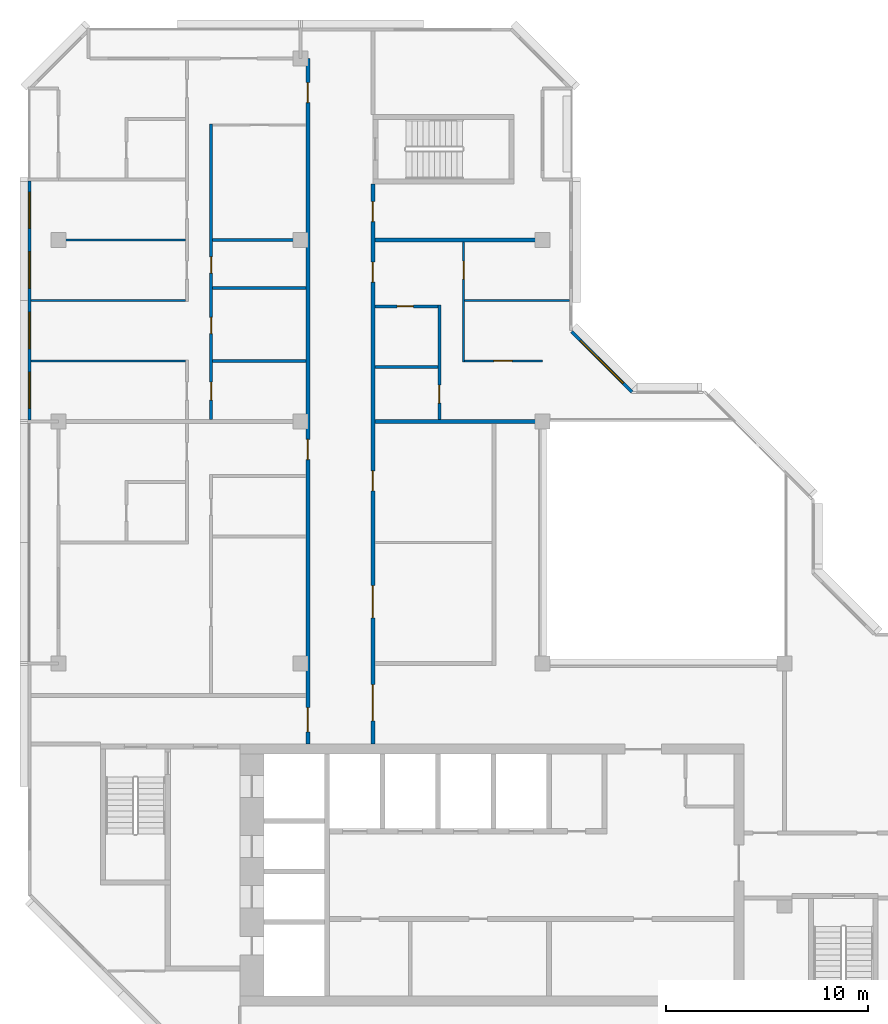
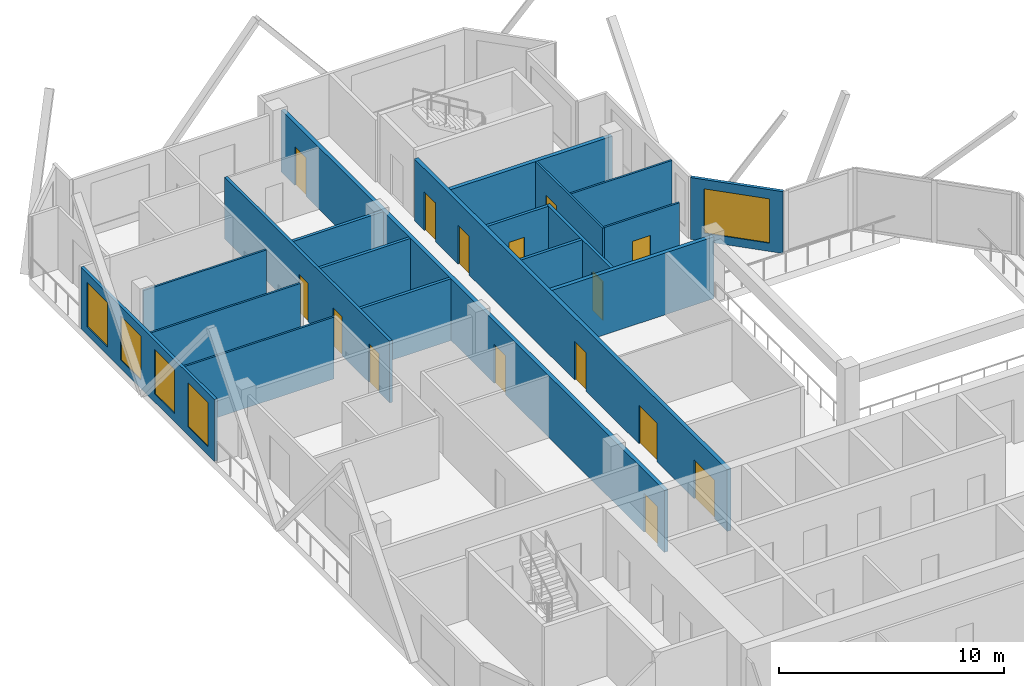
# One storey, part 8 of 12: 19 walls, 15 doors, 5 windows, 20 openings.
"""IFC4 building model written with IfcOpenShell, lengths in metres."""

from ifc_helpers import new_model, si_unit, direction, frame, frame_2d, origin, place, context, subcontext, project, spatial, rectangle, extrude, material, layer, layer_set, type_object, element, fill, save


model = new_model("IFC4")

# Units and contexts
model_context = context("Model", 3, precision=1e-05, world=origin(), true_north=direction((0.0, 1.0)))
body_context = subcontext(model_context, "Body", "Model", "MODEL_VIEW")
ifc_project = project(units=[si_unit("LENGTHUNIT", "METRE"), si_unit("AREAUNIT", "SQUARE_METRE"), si_unit("VOLUMEUNIT", "CUBIC_METRE"), si_unit("PLANEANGLEUNIT", "RADIAN"), si_unit("MASSUNIT", "GRAM", prefix="KILO")], contexts=[model_context])

# Site, building, storey
site_placement = place(None, origin())
site = spatial("IfcSite", under=ifc_project, at=site_placement, CompositionType="ELEMENT")
building_placement = place(site_placement, origin())
building = spatial("IfcBuilding", under=site, at=building_placement, Name="Chenar Terraces", CompositionType="ELEMENT")
storey_placement = place(building_placement, frame((0.0, 0.0, 338.89990234375)))
storey = spatial("IfcBuildingStorey", under=building, at=storey_placement, Name="L78", CompositionType="ELEMENT", Elevation=338.89990234375)

# Wall, openings, doors
ifc_material_1 = material(Name="Gypsum board on steel studs with fire boards", Category="steel")
ifc_layer_1 = layer(ifc_material_1, 0.199951171875)
ifc_layer_set_1 = layer_set([ifc_layer_1], Name="Gypsum board on steel studs with fire boards")
wall_type_1 = type_object("IfcWallType", Name="Corridor wall 200", PredefinedType="PARTITIONING", material=ifc_layer_set_1)
wall_1_placement = place(storey_placement, frame((12.375, 20.0, 0.0), z_axis=(0.0, 0.0, 1.0), x_axis=(0.0, 1.0, 0.0)))
wall_1 = element("IfcWall", 1, at=wall_1_placement, inside=storey, type_object=wall_type_1, Name="Partition L78-029", PredefinedType="PARTITIONING", context=body_context, shape_type="SweptSolid", body=[
    extrude(rectangle(XDim=34.0, YDim=0.199951171875, at=frame_2d((17.0, 0.0))), origin(), (0.0, 0.0, 1.0), 3.35009765625),
])
opening_1_placement = place(wall_1_placement, frame((31.800048828125, 0.0, 0.0)))
opening_1 = element("IfcOpeningElement", 2, at=opening_1_placement, cuts=wall_1, Name="Opening DL78-15", PredefinedType="OPENING", context=body_context, shape_type="SweptSolid", body=[
    extrude(rectangle(XDim=1.0, YDim=2.10009765625, at=frame_2d((0.5, 1.050048828125))), frame((0.0, 0.10986328125, 0.0), z_axis=(0.0, -1.0, 0.0), x_axis=(1.0, 0.0, 0.0)), (0.0, 0.0, 1.0), 0.219970703125),
])
opening_2_placement = place(wall_1_placement, frame((0.60009765625, 0.0, 0.0)))
opening_2 = element("IfcOpeningElement", 3, at=opening_2_placement, cuts=wall_1, Name="Opening DL78-21", PredefinedType="OPENING", context=body_context, shape_type="SweptSolid", body=[
    extrude(rectangle(XDim=1.199951171875, YDim=2.10009765625, at=frame_2d((0.60009765625, 1.050048828125))), frame((0.0, 0.10986328125, 0.0), z_axis=(0.0, -1.0, 0.0), x_axis=(1.0, 0.0, 0.0)), (0.0, 0.0, 1.0), 0.219970703125),
])
opening_3_placement = place(wall_1_placement, frame((14.10009765625, 0.0, 0.0)))
opening_3 = element("IfcOpeningElement", 4, at=opening_3_placement, cuts=wall_1, Name="Opening DL78-44", PredefinedType="OPENING", context=body_context, shape_type="SweptSolid", body=[
    extrude(rectangle(XDim=1.0, YDim=2.10009765625, at=frame_2d((0.5, 1.050048828125))), frame((0.0, 0.10986328125, 0.0), z_axis=(0.0, -1.0, 0.0), x_axis=(1.0, 0.0, 0.0)), (0.0, 0.0, 1.0), 0.219970703125),
])
ifc_material_2 = material(Name="Steel-framed fire-resisting door leaf", Category="steel")
door_type_1 = type_object("IfcDoorType", Name="Fire door FD30S 1000 x 2100", OperationType="SINGLE_SWING_LEFT", PredefinedType="DOOR", material=ifc_material_2)
door_1_placement = place(opening_1_placement, origin())
door_1 = element("IfcDoor", 5, at=door_1_placement, inside=storey, type_object=door_type_1, Name="Door DL78-15", OperationType="SINGLE_SWING_RIGHT", OverallHeight=2.10009765625, OverallWidth=1.0, PredefinedType="DOOR", context=body_context, shape_type="SweptSolid", body=[
    extrude(rectangle(XDim=1.0, YDim=2.10009765625, at=frame_2d((0.5, 1.050048828125))), frame((0.0, 0.02490234375, 0.0), z_axis=(0.0, -1.0, 0.0), x_axis=(1.0, 0.0, 0.0)), (0.0, 0.0, 1.0), 0.050048828125),
])
fill(opening_1, door_1)
door_2_placement = place(opening_3_placement, origin())
door_2 = element("IfcDoor", 6, at=door_2_placement, inside=storey, type_object=door_type_1, Name="Door DL78-44", OperationType="SINGLE_SWING_RIGHT", OverallHeight=2.10009765625, OverallWidth=1.0, PredefinedType="DOOR", context=body_context, shape_type="SweptSolid", body=[
    extrude(rectangle(XDim=1.0, YDim=2.10009765625, at=frame_2d((0.5, 1.050048828125))), frame((0.0, 0.02490234375, 0.0), z_axis=(0.0, -1.0, 0.0), x_axis=(1.0, 0.0, 0.0)), (0.0, 0.0, 1.0), 0.050048828125),
])
fill(opening_3, door_2)
ifc_material_3 = material(Name="Steel-framed fire-resisting door leaf", Category="steel")
door_type_2 = type_object("IfcDoorType", Name="Fire door FD30S 1200 x 2100", OperationType="SINGLE_SWING_LEFT", PredefinedType="DOOR", material=ifc_material_3)
door_3_placement = place(opening_2_placement, origin())
door_3 = element("IfcDoor", 7, at=door_3_placement, inside=storey, type_object=door_type_2, Name="Door DL78-21", OperationType="SINGLE_SWING_RIGHT", OverallHeight=2.10009765625, OverallWidth=1.199951171875, PredefinedType="DOOR", context=body_context, shape_type="SweptSolid", body=[
    extrude(rectangle(XDim=1.199951171875, YDim=2.10009765625, at=frame_2d((0.60009765625, 1.050048828125))), frame((0.0, 0.02490234375, 0.0), z_axis=(0.0, -1.0, 0.0), x_axis=(1.0, 0.0, 0.0)), (0.0, 0.0, 1.0), 0.050048828125),
])
fill(opening_2, door_3)

wall_2_placement = place(storey_placement, frame((15.60009765625, 20.0, 0.0), z_axis=(0.0, 0.0, 1.0), x_axis=(0.0, 1.0, 0.0)))
wall_2 = element("IfcWall", 8, at=wall_2_placement, inside=storey, type_object=wall_type_1, Name="Partition L78-031", PredefinedType="PARTITIONING", context=body_context, shape_type="SweptSolid", body=[
    extrude(rectangle(XDim=27.77490234375, YDim=0.199951171875, at=frame_2d((13.887451171875, 0.0))), origin(), (0.0, 0.0, 1.0), 3.35009765625),
])
opening_4_placement = place(wall_2_placement, frame((6.25, 0.0, 0.0)))
opening_4 = element("IfcOpeningElement", 9, at=opening_4_placement, cuts=wall_2, Name="Opening DL78-1", PredefinedType="OPENING", context=body_context, shape_type="SweptSolid", body=[
    extrude(rectangle(XDim=1.60009765625, YDim=2.10009765625, at=frame_2d((0.800048828125, 1.050048828125))), frame((0.0, 0.10986328125, 0.0), z_axis=(0.0, -1.0, 0.0), x_axis=(1.0, 0.0, 0.0)), (0.0, 0.0, 1.0), 0.219970703125),
])
opening_5_placement = place(wall_2_placement, frame((12.550048828125, 0.0, 0.0)))
opening_5 = element("IfcOpeningElement", 10, at=opening_5_placement, cuts=wall_2, Name="Opening DL78-2", PredefinedType="OPENING", context=body_context, shape_type="SweptSolid", body=[
    extrude(rectangle(XDim=1.0, YDim=2.10009765625, at=frame_2d((0.5, 1.050048828125))), frame((0.0, 0.10986328125, 0.0), z_axis=(0.0, -1.0, 0.0), x_axis=(1.0, 0.0, 0.0)), (0.0, 0.0, 1.0), 0.219970703125),
])
opening_6_placement = place(wall_2_placement, frame((22.89990234375, 0.0, 0.0)))
opening_6 = element("IfcOpeningElement", 11, at=opening_6_placement, cuts=wall_2, Name="Opening DL78-8", PredefinedType="OPENING", context=body_context, shape_type="SweptSolid", body=[
    extrude(rectangle(XDim=1.0, YDim=2.10009765625, at=frame_2d((0.5, 1.050048828125))), frame((0.0, 0.10986328125, 0.0), z_axis=(0.0, -1.0, 0.0), x_axis=(1.0, 0.0, 0.0)), (0.0, 0.0, 1.0), 0.219970703125),
])
opening_7_placement = place(wall_2_placement, frame((1.14990234375, 0.0, 0.0)))
opening_7 = element("IfcOpeningElement", 12, at=opening_7_placement, cuts=wall_2, Name="Opening DL78-20", PredefinedType="OPENING", context=body_context, shape_type="SweptSolid", body=[
    extrude(rectangle(XDim=1.800048828125, YDim=2.10009765625, at=frame_2d((0.89990234375, 1.050048828125))), frame((0.0, 0.10986328125, 0.0), z_axis=(0.0, -1.0, 0.0), x_axis=(1.0, 0.0, 0.0)), (0.0, 0.0, 1.0), 0.219970703125),
])
opening_8_placement = place(wall_2_placement, frame((25.89990234375, 0.0, 0.0)))
opening_8 = element("IfcOpeningElement", 13, at=opening_8_placement, cuts=wall_2, Name="Opening DL78-23", PredefinedType="OPENING", context=body_context, shape_type="SweptSolid", body=[
    extrude(rectangle(XDim=1.0, YDim=2.10009765625, at=frame_2d((0.5, 1.050048828125))), frame((0.0, 0.10986328125, 0.0), z_axis=(0.0, -1.0, 0.0), x_axis=(1.0, 0.0, 0.0)), (0.0, 0.0, 1.0), 0.219970703125),
])
ifc_material_4 = material(Name="Steel-framed fire-resisting door leaf", Category="steel")
door_type_3 = type_object("IfcDoorType", Name="Fire door FD60 1000 x 2100", OperationType="SINGLE_SWING_LEFT", PredefinedType="DOOR", material=ifc_material_4)
door_4_placement = place(opening_5_placement, frame((1.0, 0.0, 0.0), z_axis=(0.0, 0.0, 1.0), x_axis=(-1.0, 0.0, 0.0)))
door_4 = element("IfcDoor", 14, at=door_4_placement, inside=storey, type_object=door_type_3, Name="Door DL78-2", OperationType="SINGLE_SWING_LEFT", OverallHeight=2.10009765625, OverallWidth=1.0, PredefinedType="DOOR", context=body_context, shape_type="SweptSolid", body=[
    extrude(rectangle(XDim=1.0, YDim=2.10009765625, at=frame_2d((0.5, 1.050048828125))), frame((0.0, 0.02490234375, 0.0), z_axis=(0.0, -1.0, 0.0), x_axis=(1.0, 0.0, 0.0)), (0.0, 0.0, 1.0), 0.050048828125),
])
fill(opening_5, door_4)
door_5_placement = place(opening_6_placement, frame((1.0, 0.0, 0.0), z_axis=(0.0, 0.0, 1.0), x_axis=(-1.0, 0.0, 0.0)))
door_5 = element("IfcDoor", 15, at=door_5_placement, inside=storey, type_object=door_type_3, Name="Door DL78-8", OperationType="SINGLE_SWING_LEFT", OverallHeight=2.10009765625, OverallWidth=1.0, PredefinedType="DOOR", context=body_context, shape_type="SweptSolid", body=[
    extrude(rectangle(XDim=1.0, YDim=2.10009765625, at=frame_2d((0.5, 1.050048828125))), frame((0.0, 0.02490234375, 0.0), z_axis=(0.0, -1.0, 0.0), x_axis=(1.0, 0.0, 0.0)), (0.0, 0.0, 1.0), 0.050048828125),
])
fill(opening_6, door_5)
door_6_placement = place(opening_8_placement, frame((1.0, 0.0, 0.0), z_axis=(0.0, 0.0, 1.0), x_axis=(-1.0, 0.0, 0.0)))
door_6 = element("IfcDoor", 16, at=door_6_placement, inside=storey, type_object=door_type_3, Name="Door DL78-23", OperationType="SINGLE_SWING_RIGHT", OverallHeight=2.10009765625, OverallWidth=1.0, PredefinedType="DOOR", context=body_context, shape_type="SweptSolid", body=[
    extrude(rectangle(XDim=1.0, YDim=2.10009765625, at=frame_2d((0.5, 1.050048828125))), frame((0.0, 0.02490234375, 0.0), z_axis=(0.0, -1.0, 0.0), x_axis=(1.0, 0.0, 0.0)), (0.0, 0.0, 1.0), 0.050048828125),
])
fill(opening_8, door_6)
ifc_material_5 = material(Name="Steel-framed fire-resisting door leaf", Category="steel")
door_type_4 = type_object("IfcDoorType", Name="Fire double door FD60 1600 x 2100", OperationType="DOUBLE_DOOR_SINGLE_SWING", PredefinedType="DOOR", material=ifc_material_5)
door_7_placement = place(opening_4_placement, frame((1.60009765625, 0.0, 0.0), z_axis=(0.0, 0.0, 1.0), x_axis=(-1.0, 0.0, 0.0)))
door_7 = element("IfcDoor", 17, at=door_7_placement, inside=storey, type_object=door_type_4, Name="Door DL78-1", OperationType="DOUBLE_DOOR_SINGLE_SWING", OverallHeight=2.10009765625, OverallWidth=1.60009765625, PredefinedType="DOOR", context=body_context, shape_type="SweptSolid", body=[
    extrude(rectangle(XDim=1.60009765625, YDim=2.10009765625, at=frame_2d((0.800048828125, 1.050048828125))), frame((0.0, 0.02490234375, 0.0), z_axis=(0.0, -1.0, 0.0), x_axis=(1.0, 0.0, 0.0)), (0.0, 0.0, 1.0), 0.050048828125),
])
fill(opening_4, door_7)
ifc_material_6 = material(Name="Steel-framed fire-resisting door leaf", Category="steel")
door_type_5 = type_object("IfcDoorType", Name="Fire double door FD60 1800 x 2100", OperationType="DOUBLE_DOOR_SINGLE_SWING", PredefinedType="DOOR", material=ifc_material_6)
door_8_placement = place(opening_7_placement, frame((1.800048828125, 0.0, 0.0), z_axis=(0.0, 0.0, 1.0), x_axis=(-1.0, 0.0, 0.0)))
door_8 = element("IfcDoor", 18, at=door_8_placement, inside=storey, type_object=door_type_5, Name="Door DL78-20", OperationType="DOUBLE_DOOR_SINGLE_SWING", OverallHeight=2.10009765625, OverallWidth=1.800048828125, PredefinedType="DOOR", context=body_context, shape_type="SweptSolid", body=[
    extrude(rectangle(XDim=1.800048828125, YDim=2.10009765625, at=frame_2d((0.89990234375, 1.050048828125))), frame((0.0, 0.02490234375, 0.0), z_axis=(0.0, -1.0, 0.0), x_axis=(1.0, 0.0, 0.0)), (0.0, 0.0, 1.0), 0.050048828125),
])
fill(opening_7, door_8)

# Wall, openings, windows
ifc_material_7 = material(Name="Aluminium framed glazing", Category="aluminium")
ifc_layer_2 = layer(ifc_material_7, 0.14990234375)
ifc_layer_set_2 = layer_set([ifc_layer_2], Name="Aluminium framed glazing")
wall_type_2 = type_object("IfcWallType", Name="Glazed flush facade wall 150", PredefinedType="SOLIDWALL", material=ifc_layer_set_2)
wall_3_placement = place(storey_placement, frame((-1.425048828125, 47.925048828125, 0.0), z_axis=(0.0, 0.0, 1.0), x_axis=(0.0, -1.0, 0.0)))
wall_3 = element("IfcWall", 19, at=wall_3_placement, inside=storey, type_object=wall_type_2, Name="Glazed flush facade wall", PredefinedType="SOLIDWALL", context=body_context, shape_type="SweptSolid", body=[
    extrude(rectangle(XDim=11.85009765625, YDim=0.14990234375, at=frame_2d((5.925048828125, 0.0))), origin(), (0.0, 0.0, 1.0), 3.35009765625),
])
opening_9_placement = place(wall_3_placement, frame((0.5625, 0.0, 0.449951171875)))
opening_9 = element("IfcOpeningElement", 20, at=opening_9_placement, cuts=wall_3, Name="Opening W180x240", PredefinedType="OPENING", context=body_context, shape_type="SweptSolid", body=[
    extrude(rectangle(XDim=1.800048828125, YDim=2.39990234375, at=frame_2d((0.89990234375, 1.199951171875))), frame((0.0, 0.0849609375, 0.0), z_axis=(0.0, -1.0, 0.0), x_axis=(1.0, 0.0, 0.0)), (0.0, 0.0, 1.0), 0.169921875),
])
opening_10_placement = place(wall_3_placement, frame((3.52490234375, 0.0, 0.449951171875)))
opening_10 = element("IfcOpeningElement", 21, at=opening_10_placement, cuts=wall_3, Name="Opening W180x240", PredefinedType="OPENING", context=body_context, shape_type="SweptSolid", body=[
    extrude(rectangle(XDim=1.800048828125, YDim=2.39990234375, at=frame_2d((0.89990234375, 1.199951171875))), frame((0.0, 0.0849609375, 0.0), z_axis=(0.0, -1.0, 0.0), x_axis=(1.0, 0.0, 0.0)), (0.0, 0.0, 1.0), 0.169921875),
])
opening_11_placement = place(wall_3_placement, frame((6.52490234375, 0.0, 0.449951171875)))
opening_11 = element("IfcOpeningElement", 22, at=opening_11_placement, cuts=wall_3, Name="Opening W180x240", PredefinedType="OPENING", context=body_context, shape_type="SweptSolid", body=[
    extrude(rectangle(XDim=1.800048828125, YDim=2.39990234375, at=frame_2d((0.89990234375, 1.199951171875))), frame((0.0, 0.0849609375, 0.0), z_axis=(0.0, -1.0, 0.0), x_axis=(1.0, 0.0, 0.0)), (0.0, 0.0, 1.0), 0.169921875),
])
opening_12_placement = place(wall_3_placement, frame((9.487548828125, 0.0, 0.449951171875)))
opening_12 = element("IfcOpeningElement", 23, at=opening_12_placement, cuts=wall_3, Name="Opening W180x240", PredefinedType="OPENING", context=body_context, shape_type="SweptSolid", body=[
    extrude(rectangle(XDim=1.800048828125, YDim=2.39990234375, at=frame_2d((0.89990234375, 1.199951171875))), frame((0.0, 0.0849609375, 0.0), z_axis=(0.0, -1.0, 0.0), x_axis=(1.0, 0.0, 0.0)), (0.0, 0.0, 1.0), 0.169921875),
])
ifc_material_8 = material(Name="Low emissivity double glazing, aluminium frame", Category="aluminium")
window_type_1 = type_object("IfcWindowType", Name="Fixed light 1800 x 2400", PartitioningType="SINGLE_PANEL", PredefinedType="WINDOW", material=ifc_material_8)
window_1_placement = place(opening_9_placement, origin())
window_1 = element("IfcWindow", 24, at=window_1_placement, inside=storey, type_object=window_type_1, Name="Window", OverallHeight=2.39990234375, OverallWidth=1.800048828125, PartitioningType="SINGLE_PANEL", PredefinedType="WINDOW", context=body_context, shape_type="SweptSolid", body=[
    extrude(rectangle(XDim=1.800048828125, YDim=2.39990234375, at=frame_2d((0.89990234375, 1.199951171875))), frame((0.0, 0.030029296875, 0.0), z_axis=(0.0, -1.0, 0.0), x_axis=(1.0, 0.0, 0.0)), (0.0, 0.0, 1.0), 0.06005859375),
])
fill(opening_9, window_1)
window_2_placement = place(opening_10_placement, origin())
window_2 = element("IfcWindow", 25, at=window_2_placement, inside=storey, type_object=window_type_1, Name="Window", OverallHeight=2.39990234375, OverallWidth=1.800048828125, PartitioningType="SINGLE_PANEL", PredefinedType="WINDOW", context=body_context, shape_type="SweptSolid", body=[
    extrude(rectangle(XDim=1.800048828125, YDim=2.39990234375, at=frame_2d((0.89990234375, 1.199951171875))), frame((0.0, 0.030029296875, 0.0), z_axis=(0.0, -1.0, 0.0), x_axis=(1.0, 0.0, 0.0)), (0.0, 0.0, 1.0), 0.06005859375),
])
fill(opening_10, window_2)
window_3_placement = place(opening_11_placement, origin())
window_3 = element("IfcWindow", 26, at=window_3_placement, inside=storey, type_object=window_type_1, Name="Window", OverallHeight=2.39990234375, OverallWidth=1.800048828125, PartitioningType="SINGLE_PANEL", PredefinedType="WINDOW", context=body_context, shape_type="SweptSolid", body=[
    extrude(rectangle(XDim=1.800048828125, YDim=2.39990234375, at=frame_2d((0.89990234375, 1.199951171875))), frame((0.0, 0.030029296875, 0.0), z_axis=(0.0, -1.0, 0.0), x_axis=(1.0, 0.0, 0.0)), (0.0, 0.0, 1.0), 0.06005859375),
])
fill(opening_11, window_3)
window_4_placement = place(opening_12_placement, origin())
window_4 = element("IfcWindow", 27, at=window_4_placement, inside=storey, type_object=window_type_1, Name="Window", OverallHeight=2.39990234375, OverallWidth=1.800048828125, PartitioningType="SINGLE_PANEL", PredefinedType="WINDOW", context=body_context, shape_type="SweptSolid", body=[
    extrude(rectangle(XDim=1.800048828125, YDim=2.39990234375, at=frame_2d((0.89990234375, 1.199951171875))), frame((0.0, 0.030029296875, 0.0), z_axis=(0.0, -1.0, 0.0), x_axis=(1.0, 0.0, 0.0)), (0.0, 0.0, 1.0), 0.06005859375),
])
fill(opening_12, window_4)

# Walls
ifc_material_9 = material(Name="Gypsum board on steel studs", Category="steel")
ifc_layer_3 = layer(ifc_material_9, 0.10009765625)
ifc_layer_set_3 = layer_set([ifc_layer_3], Name="Gypsum board on steel studs")
wall_type_3 = type_object("IfcWallType", Name="Gypsum partition 100", PredefinedType="PARTITIONING", material=ifc_layer_set_3)
for number, where, z_axis, x_axis, name in (
    (28, (-1.35009765625, 39.0, 0.0), (0.0, 0.0, 1.0), (1.0, 0.0, 0.0), "Partition L78-004"),
    (29, (-1.35009765625, 42.0, 0.0), (0.0, 0.0, 1.0), (1.0, 0.0, 0.0), "Partition L78-005"),
):
    element("IfcWall", number, at=place(storey_placement, frame(where, z_axis=z_axis, x_axis=x_axis)), inside=storey, type_object=wall_type_3, Name=name, PredefinedType="PARTITIONING", context=body_context, shape_type="SweptSolid", body=[
        extrude(rectangle(XDim=7.650146484375, YDim=0.10009765625, at=frame_2d((3.8251953125, 0.0))), origin(), (0.0, 0.0, 1.0), 3.35009765625),
    ])
wall_4_placement = place(storey_placement, frame((0.0, 45.0, 0.0), z_axis=(0.0, 0.0, 1.0), x_axis=(1.0, 0.0, 0.0)))
element("IfcWall", 30, at=wall_4_placement, inside=storey, type_object=wall_type_3, Name="Partition L78-006", PredefinedType="PARTITIONING", context=body_context, shape_type="SweptSolid", body=[
    extrude(rectangle(XDim=6.300048828125, YDim=0.10009765625, at=frame_2d((3.14990234375, 0.0))), origin(), (0.0, 0.0, 1.0), 3.35009765625),
])

# Wall, opening, door
wall_5_placement = place(storey_placement, frame((20.10009765625, 38.949951171875, 0.0), z_axis=(0.0, 0.0, 1.0), x_axis=(0.0, 1.0, 0.0)))
wall_5 = element("IfcWall", 31, at=wall_5_placement, inside=storey, type_object=wall_type_3, Name="Partition L78-040", PredefinedType="PARTITIONING", context=body_context, shape_type="SweptSolid", body=[
    extrude(rectangle(XDim=5.949951171875, YDim=0.10009765625, at=frame_2d((2.97509765625, 0.0))), origin(), (0.0, 0.0, 1.0), 3.35009765625),
])
opening_13_placement = place(wall_5_placement, frame((4.10009765625, 0.0, 0.0)))
opening_13 = element("IfcOpeningElement", 32, at=opening_13_placement, cuts=wall_5, Name="Opening DL78-6", PredefinedType="OPENING", context=body_context, shape_type="SweptSolid", body=[
    extrude(rectangle(XDim=0.89990234375, YDim=2.10009765625, at=frame_2d((0.449951171875, 1.050048828125))), frame((0.0, 0.06005859375, 0.0), z_axis=(0.0, -1.0, 0.0), x_axis=(1.0, 0.0, 0.0)), (0.0, 0.0, 1.0), 0.1201171875),
])
ifc_material_10 = material(Name="Veneered timber door leaf", Category="wood")
door_type_6 = type_object("IfcDoorType", Name="Door 900 x 2100", OperationType="SINGLE_SWING_LEFT", PredefinedType="DOOR", material=ifc_material_10)
door_9_placement = place(opening_13_placement, frame((0.89990234375, 0.0, 0.0), z_axis=(0.0, 0.0, 1.0), x_axis=(-1.0, 0.0, 0.0)))
door_9 = element("IfcDoor", 33, at=door_9_placement, inside=storey, type_object=door_type_6, Name="Door DL78-6", OperationType="SINGLE_SWING_LEFT", OverallHeight=2.10009765625, OverallWidth=0.89990234375, PredefinedType="DOOR", context=body_context, shape_type="SweptSolid", body=[
    extrude(rectangle(XDim=0.89990234375, YDim=2.10009765625, at=frame_2d((0.449951171875, 1.050048828125))), frame((0.0, 0.02490234375, 0.0), z_axis=(0.0, -1.0, 0.0), x_axis=(1.0, 0.0, 0.0)), (0.0, 0.0, 1.0), 0.050048828125),
])
fill(opening_13, door_9)

wall_6_placement = place(storey_placement, frame((20.14990234375, 39.0, 0.0), z_axis=(0.0, 0.0, 1.0), x_axis=(1.0, 0.0, 0.0)))
wall_6 = element("IfcWall", 34, at=wall_6_placement, inside=storey, type_object=wall_type_3, Name="Partition L78-041", PredefinedType="PARTITIONING", context=body_context, shape_type="SweptSolid", body=[
    extrude(rectangle(XDim=3.85009765625, YDim=0.10009765625, at=frame_2d((1.925048828125, 0.0))), origin(), (0.0, 0.0, 1.0), 3.35009765625),
])
opening_14_placement = place(wall_6_placement, frame((1.449951171875, 0.0, 0.0)))
opening_14 = element("IfcOpeningElement", 35, at=opening_14_placement, cuts=wall_6, Name="Opening DL78-5", PredefinedType="OPENING", context=body_context, shape_type="SweptSolid", body=[
    extrude(rectangle(XDim=0.89990234375, YDim=2.10009765625, at=frame_2d((0.449951171875, 1.050048828125))), frame((0.0, 0.06005859375, 0.0), z_axis=(0.0, -1.0, 0.0), x_axis=(1.0, 0.0, 0.0)), (0.0, 0.0, 1.0), 0.1201171875),
])
door_10_placement = place(opening_14_placement, origin())
door_10 = element("IfcDoor", 36, at=door_10_placement, inside=storey, type_object=door_type_6, Name="Door DL78-5", OperationType="SINGLE_SWING_LEFT", OverallHeight=2.10009765625, OverallWidth=0.89990234375, PredefinedType="DOOR", context=body_context, shape_type="SweptSolid", body=[
    extrude(rectangle(XDim=0.89990234375, YDim=2.10009765625, at=frame_2d((0.449951171875, 1.050048828125))), frame((0.0, 0.02490234375, 0.0), z_axis=(0.0, -1.0, 0.0), x_axis=(1.0, 0.0, 0.0)), (0.0, 0.0, 1.0), 0.050048828125),
])
fill(opening_14, door_10)

# Wall
wall_7_placement = place(storey_placement, frame((20.14990234375, 42.0, 0.0), z_axis=(0.0, 0.0, 1.0), x_axis=(1.0, 0.0, 0.0)))
element("IfcWall", 37, at=wall_7_placement, inside=storey, type_object=wall_type_3, Name="Partition L78-042", PredefinedType="PARTITIONING", context=body_context, shape_type="SweptSolid", body=[
    extrude(rectangle(XDim=5.201171875, YDim=0.10009765625, at=frame_2d((2.6005859375, 0.0))), origin(), (0.0, 0.0, 1.0), 3.35009765625),
])

# Wall, opening, window
ifc_material_11 = material(Name="Terracotta cladding on insulated backing", Category="masonry")
ifc_layer_4 = layer(ifc_material_11, 0.14990234375)
ifc_layer_set_4 = layer_set([ifc_layer_4], Name="Terracotta cladding on insulated backing")
wall_type_4 = type_object("IfcWallType", Name="Terracotta rainscreen wall 150", PredefinedType="SOLIDWALL", material=ifc_layer_set_4)
wall_8_placement = place(storey_placement, frame((28.447021484375, 37.447021484375, 0.0), z_axis=(0.0, 0.0, 1.0), x_axis=(-0.707106781187, 0.707106781187, 0.0)))
wall_8 = element("IfcWall", 38, at=wall_8_placement, inside=storey, type_object=wall_type_4, Name="Terracotta rainscreen wall", PredefinedType="SOLIDWALL", context=body_context, shape_type="SweptSolid", body=[
    extrude(rectangle(XDim=4.24267578125, YDim=0.14990234375, at=frame_2d((2.121337890625, 0.0))), origin(), (0.0, 0.0, 1.0), 3.35009765625),
])
opening_15_placement = place(wall_8_placement, frame((0.621337890625, 0.0, 0.449951171875)))
opening_15 = element("IfcOpeningElement", 39, at=opening_15_placement, cuts=wall_8, Name="Opening W300x240", PredefinedType="OPENING", context=body_context, shape_type="SweptSolid", body=[
    extrude(rectangle(XDim=3.0, YDim=2.39990234375, at=frame_2d((1.5, 1.199951171875))), frame((0.0, 0.0849609375, 0.0), z_axis=(0.0, -1.0, 0.0), x_axis=(1.0, 0.0, 0.0)), (0.0, 0.0, 1.0), 0.169921875),
])
ifc_material_12 = material(Name="Low emissivity double glazing, aluminium frame", Category="aluminium")
window_type_2 = type_object("IfcWindowType", Name="Fixed light 3000 x 2400", PartitioningType="SINGLE_PANEL", PredefinedType="WINDOW", material=ifc_material_12)
window_5_placement = place(opening_15_placement, origin())
window_5 = element("IfcWindow", 40, at=window_5_placement, inside=storey, type_object=window_type_2, Name="Window", OverallHeight=2.39990234375, OverallWidth=3.0, PartitioningType="SINGLE_PANEL", PredefinedType="WINDOW", context=body_context, shape_type="SweptSolid", body=[
    extrude(rectangle(XDim=3.0, YDim=2.39990234375, at=frame_2d((1.5, 1.199951171875))), frame((0.0, 0.030029296875, 0.0), z_axis=(0.0, -1.0, 0.0), x_axis=(1.0, 0.0, 0.0)), (0.0, 0.0, 1.0), 0.06005859375),
])
fill(opening_15, window_5)

# Walls
ifc_material_13 = material(Name="Twin gypsum board on steel studs with mineral wool", Category="steel")
ifc_layer_5 = layer(ifc_material_13, 0.199951171875)
ifc_layer_set_5 = layer_set([ifc_layer_5], Name="Twin gypsum board on steel studs with mineral wool")
wall_type_5 = type_object("IfcWallType", Name="Unit demising wall 200", PredefinedType="PARTITIONING", material=ifc_layer_set_5)
for number, where, z_axis, x_axis, name in (
    (41, (15.699951171875, 36.0, 0.0), (0.0, 0.0, 1.0), (1.0, 0.0, 0.0), "Partition L78-035"),
    (42, (15.699951171875, 45.0, 0.0), (0.0, 0.0, 1.0), (1.0, 0.0, 0.0), "Partition L78-038"),
):
    element("IfcWall", number, at=place(storey_placement, frame(where, z_axis=z_axis, x_axis=x_axis)), inside=storey, type_object=wall_type_5, Name=name, PredefinedType="PARTITIONING", context=body_context, shape_type="SweptSolid", body=[
        extrude(rectangle(XDim=8.300048828125, YDim=0.199951171875, at=frame_2d((4.14990234375, 0.0))), origin(), (0.0, 0.0, 1.0), 3.35009765625),
    ])

# Wall, openings, doors
ifc_material_14 = material(Name="Moisture-resistant gypsum board on steel studs", Category="steel")
ifc_layer_6 = layer(ifc_material_14, 0.14990234375)
ifc_layer_set_6 = layer_set([ifc_layer_6], Name="Moisture-resistant gypsum board on steel studs")
wall_type_6 = type_object("IfcWallType", Name="Wet-room partition 150", PredefinedType="PARTITIONING", material=ifc_layer_set_6)
wall_9_placement = place(storey_placement, frame((7.574951171875, 36.10009765625, 0.0), z_axis=(0.0, 0.0, 1.0), x_axis=(0.0, 1.0, 0.0)))
wall_9 = element("IfcWall", 43, at=wall_9_placement, inside=storey, type_object=wall_type_6, Name="Partition L78-018", PredefinedType="PARTITIONING", context=body_context, shape_type="SweptSolid", body=[
    extrude(rectangle(XDim=14.64990234375, YDim=0.14990234375, at=frame_2d((7.324951171875, 0.0))), origin(), (0.0, 0.0, 1.0), 3.35009765625),
])
opening_16_placement = place(wall_9_placement, frame((4.25, 0.0, 0.0)))
opening_16 = element("IfcOpeningElement", 44, at=opening_16_placement, cuts=wall_9, Name="Opening DL78-9", PredefinedType="OPENING", context=body_context, shape_type="SweptSolid", body=[
    extrude(rectangle(XDim=0.800048828125, YDim=2.10009765625, at=frame_2d((0.39990234375, 1.050048828125))), frame((0.0, 0.0849609375, 0.0), z_axis=(0.0, -1.0, 0.0), x_axis=(1.0, 0.0, 0.0)), (0.0, 0.0, 1.0), 0.169921875),
])
opening_17_placement = place(wall_9_placement, frame((0.949951171875, 0.0, 0.0)))
opening_17 = element("IfcOpeningElement", 45, at=opening_17_placement, cuts=wall_9, Name="Opening DL78-16", PredefinedType="OPENING", context=body_context, shape_type="SweptSolid", body=[
    extrude(rectangle(XDim=0.89990234375, YDim=2.10009765625, at=frame_2d((0.449951171875, 1.050048828125))), frame((0.0, 0.0849609375, 0.0), z_axis=(0.0, -1.0, 0.0), x_axis=(1.0, 0.0, 0.0)), (0.0, 0.0, 1.0), 0.169921875),
])
opening_18_placement = place(wall_9_placement, frame((7.25, 0.0, 0.0)))
opening_18 = element("IfcOpeningElement", 46, at=opening_18_placement, cuts=wall_9, Name="Opening DL78-18", PredefinedType="OPENING", context=body_context, shape_type="SweptSolid", body=[
    extrude(rectangle(XDim=0.800048828125, YDim=2.10009765625, at=frame_2d((0.39990234375, 1.050048828125))), frame((0.0, 0.0849609375, 0.0), z_axis=(0.0, -1.0, 0.0), x_axis=(1.0, 0.0, 0.0)), (0.0, 0.0, 1.0), 0.169921875),
])
ifc_material_15 = material(Name="Veneered timber door leaf", Category="wood")
door_type_7 = type_object("IfcDoorType", Name="Door 800 x 2100", OperationType="SINGLE_SWING_LEFT", PredefinedType="DOOR", material=ifc_material_15)
door_11_placement = place(opening_16_placement, frame((0.800048828125, 0.0, 0.0), z_axis=(0.0, 0.0, 1.0), x_axis=(-1.0, 0.0, 0.0)))
door_11 = element("IfcDoor", 47, at=door_11_placement, inside=storey, type_object=door_type_7, Name="Door DL78-9", OperationType="SINGLE_SWING_RIGHT", OverallHeight=2.10009765625, OverallWidth=0.800048828125, PredefinedType="DOOR", context=body_context, shape_type="SweptSolid", body=[
    extrude(rectangle(XDim=0.800048828125, YDim=2.10009765625, at=frame_2d((0.39990234375, 1.050048828125))), frame((0.0, 0.02490234375, 0.0), z_axis=(0.0, -1.0, 0.0), x_axis=(1.0, 0.0, 0.0)), (0.0, 0.0, 1.0), 0.050048828125),
])
fill(opening_16, door_11)
door_12_placement = place(opening_18_placement, frame((0.800048828125, 0.0, 0.0), z_axis=(0.0, 0.0, 1.0), x_axis=(-1.0, 0.0, 0.0)))
door_12 = element("IfcDoor", 48, at=door_12_placement, inside=storey, type_object=door_type_7, Name="Door DL78-18", OperationType="SINGLE_SWING_RIGHT", OverallHeight=2.10009765625, OverallWidth=0.800048828125, PredefinedType="DOOR", context=body_context, shape_type="SweptSolid", body=[
    extrude(rectangle(XDim=0.800048828125, YDim=2.10009765625, at=frame_2d((0.39990234375, 1.050048828125))), frame((0.0, 0.02490234375, 0.0), z_axis=(0.0, -1.0, 0.0), x_axis=(1.0, 0.0, 0.0)), (0.0, 0.0, 1.0), 0.050048828125),
])
fill(opening_18, door_12)
door_13_placement = place(opening_17_placement, frame((0.89990234375, 0.0, 0.0), z_axis=(0.0, 0.0, 1.0), x_axis=(-1.0, 0.0, 0.0)))
door_13 = element("IfcDoor", 49, at=door_13_placement, inside=storey, type_object=door_type_6, Name="Door DL78-16", OperationType="SINGLE_SWING_LEFT", OverallHeight=2.10009765625, OverallWidth=0.89990234375, PredefinedType="DOOR", context=body_context, shape_type="SweptSolid", body=[
    extrude(rectangle(XDim=0.89990234375, YDim=2.10009765625, at=frame_2d((0.449951171875, 1.050048828125))), frame((0.0, 0.02490234375, 0.0), z_axis=(0.0, -1.0, 0.0), x_axis=(1.0, 0.0, 0.0)), (0.0, 0.0, 1.0), 0.050048828125),
])
fill(opening_17, door_13)

# Walls
for number, where, z_axis, x_axis, name in (
    (50, (7.64990234375, 39.0, 0.0), (0.0, 0.0, 1.0), (1.0, 0.0, 0.0), "Partition L78-021"),
    (51, (7.64990234375, 42.60009765625, 0.0), (0.0, 0.0, 1.0), (1.0, 0.0, 0.0), "Partition L78-022"),
    (52, (7.64990234375, 45.0, 0.0), (0.0, 0.0, 1.0), (1.0, 0.0, 0.0), "Partition L78-023"),
):
    element("IfcWall", number, at=place(storey_placement, frame(where, z_axis=z_axis, x_axis=x_axis)), inside=storey, type_object=wall_type_6, Name=name, PredefinedType="PARTITIONING", context=body_context, shape_type="SweptSolid", body=[
        extrude(rectangle(XDim=4.625, YDim=0.14990234375, at=frame_2d((2.3125, 0.0))), origin(), (0.0, 0.0, 1.0), 3.35009765625),
    ])
wall_10_placement = place(storey_placement, frame((15.699951171875, 38.699951171875, 0.0), z_axis=(0.0, 0.0, 1.0), x_axis=(1.0, 0.0, 0.0)))
element("IfcWall", 53, at=wall_10_placement, inside=storey, type_object=wall_type_6, Name="Partition L78-036", PredefinedType="PARTITIONING", context=body_context, shape_type="SweptSolid", body=[
    extrude(rectangle(XDim=3.125, YDim=0.14990234375, at=frame_2d((1.5625, 0.0))), origin(), (0.0, 0.0, 1.0), 3.35009765625),
])

# Wall, opening, door
wall_11_placement = place(storey_placement, frame((15.699951171875, 41.699951171875, 0.0), z_axis=(0.0, 0.0, 1.0), x_axis=(1.0, 0.0, 0.0)))
wall_11 = element("IfcWall", 54, at=wall_11_placement, inside=storey, type_object=wall_type_6, Name="Partition L78-037", PredefinedType="PARTITIONING", context=body_context, shape_type="SweptSolid", body=[
    extrude(rectangle(XDim=3.125, YDim=0.14990234375, at=frame_2d((1.5625, 0.0))), origin(), (0.0, 0.0, 1.0), 3.35009765625),
])
opening_19_placement = place(wall_11_placement, frame((1.10009765625, 0.0, 0.0)))
opening_19 = element("IfcOpeningElement", 55, at=opening_19_placement, cuts=wall_11, Name="Opening DL78-4", PredefinedType="OPENING", context=body_context, shape_type="SweptSolid", body=[
    extrude(rectangle(XDim=0.800048828125, YDim=2.10009765625, at=frame_2d((0.39990234375, 1.050048828125))), frame((0.0, 0.0849609375, 0.0), z_axis=(0.0, -1.0, 0.0), x_axis=(1.0, 0.0, 0.0)), (0.0, 0.0, 1.0), 0.169921875),
])
door_14_placement = place(opening_19_placement, frame((0.800048828125, 0.0, 0.0), z_axis=(0.0, 0.0, 1.0), x_axis=(-1.0, 0.0, 0.0)))
door_14 = element("IfcDoor", 56, at=door_14_placement, inside=storey, type_object=door_type_7, Name="Door DL78-4", OperationType="SINGLE_SWING_RIGHT", OverallHeight=2.10009765625, OverallWidth=0.800048828125, PredefinedType="DOOR", context=body_context, shape_type="SweptSolid", body=[
    extrude(rectangle(XDim=0.800048828125, YDim=2.10009765625, at=frame_2d((0.39990234375, 1.050048828125))), frame((0.0, 0.02490234375, 0.0), z_axis=(0.0, -1.0, 0.0), x_axis=(1.0, 0.0, 0.0)), (0.0, 0.0, 1.0), 0.050048828125),
])
fill(opening_19, door_14)

wall_12_placement = place(storey_placement, frame((18.89990234375, 36.10009765625, 0.0), z_axis=(0.0, 0.0, 1.0), x_axis=(0.0, 1.0, 0.0)))
wall_12 = element("IfcWall", 57, at=wall_12_placement, inside=storey, type_object=wall_type_6, Name="Partition L78-039", PredefinedType="PARTITIONING", context=body_context, shape_type="SweptSolid", body=[
    extrude(rectangle(XDim=5.6748046875, YDim=0.14990234375, at=frame_2d((2.83740234375, 0.0))), origin(), (0.0, 0.0, 1.0), 3.35009765625),
])
opening_20_placement = place(wall_12_placement, frame((0.800048828125, 0.0, 0.0)))
opening_20 = element("IfcOpeningElement", 58, at=opening_20_placement, cuts=wall_12, Name="Opening DL78-7", PredefinedType="OPENING", context=body_context, shape_type="SweptSolid", body=[
    extrude(rectangle(XDim=0.89990234375, YDim=2.10009765625, at=frame_2d((0.449951171875, 1.050048828125))), frame((0.0, 0.0849609375, 0.0), z_axis=(0.0, -1.0, 0.0), x_axis=(1.0, 0.0, 0.0)), (0.0, 0.0, 1.0), 0.169921875),
])
door_15_placement = place(opening_20_placement, origin())
door_15 = element("IfcDoor", 59, at=door_15_placement, inside=storey, type_object=door_type_6, Name="Door DL78-7", OperationType="SINGLE_SWING_RIGHT", OverallHeight=2.10009765625, OverallWidth=0.89990234375, PredefinedType="DOOR", context=body_context, shape_type="SweptSolid", body=[
    extrude(rectangle(XDim=0.89990234375, YDim=2.10009765625, at=frame_2d((0.449951171875, 1.050048828125))), frame((0.0, 0.02490234375, 0.0), z_axis=(0.0, -1.0, 0.0), x_axis=(1.0, 0.0, 0.0)), (0.0, 0.0, 1.0), 0.050048828125),
])
fill(opening_20, door_15)

save(model, "model.ifc")
